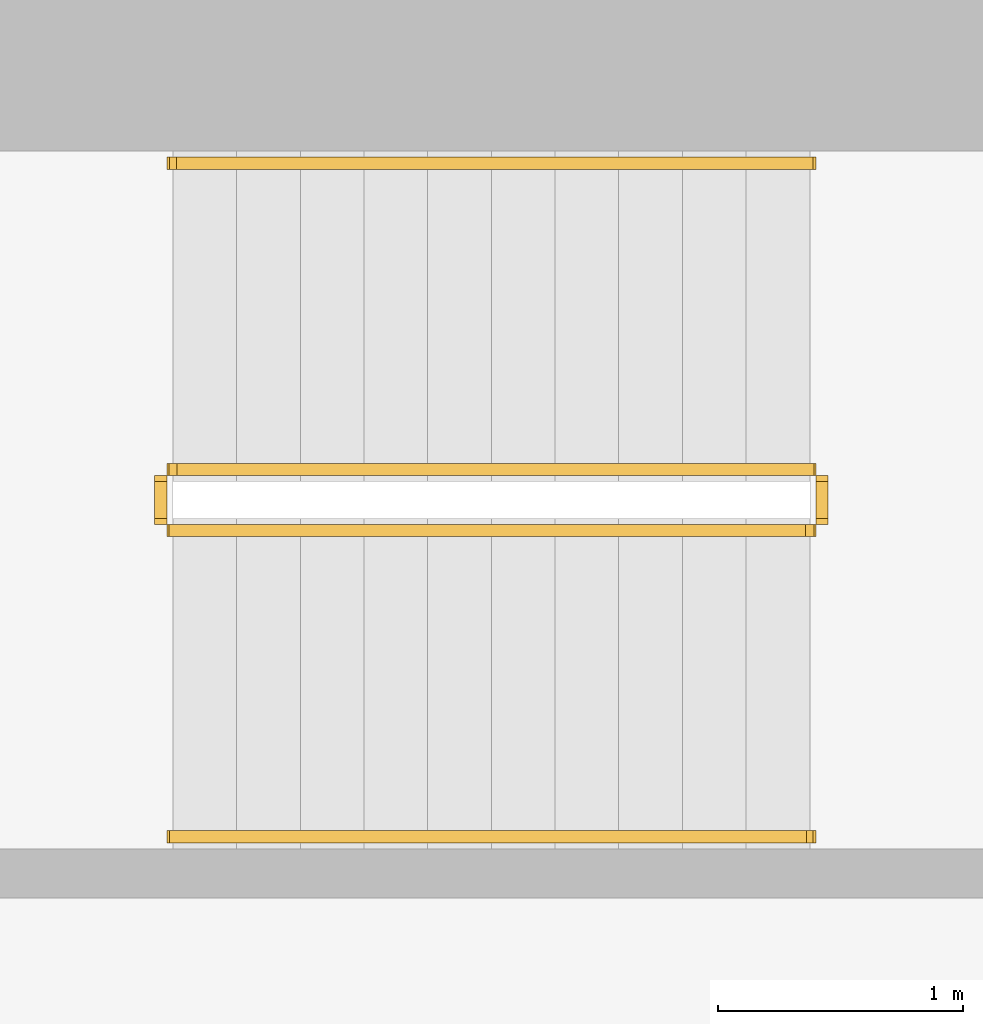
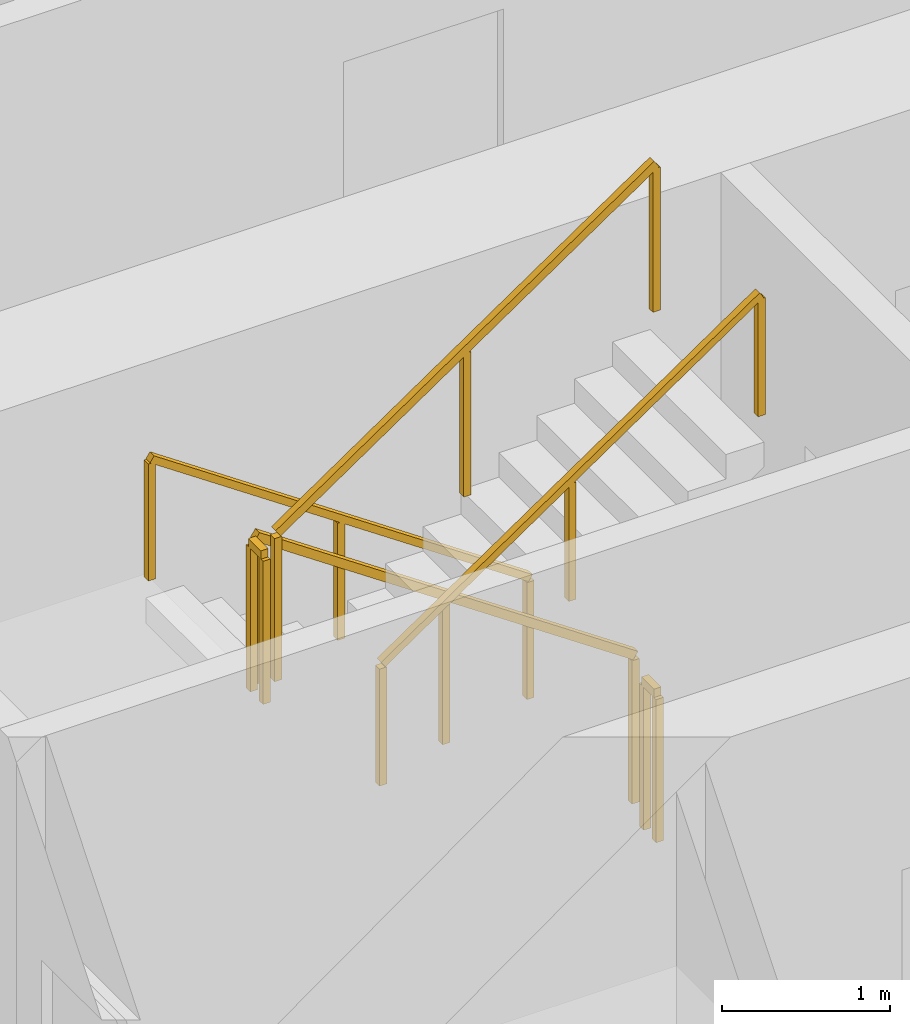
# One storey, part 14 of 15: 6 railings.
"""IFC4 building model written with IfcOpenShell, lengths in metres."""

from ifc_helpers import new_model, si_unit, direction, frame, origin, origin_2d, place, context, subcontext, project, spatial, rectangle, extrude, material, type_object, element, save


model = new_model("IFC4")

# Units and contexts
model_context = context("Model", 3, precision=1e-05, world=origin(), true_north=direction((0.0, 1.0)))
body_context = subcontext(model_context, "Body", "Model", "MODEL_VIEW")
ifc_project = project(units=[si_unit("LENGTHUNIT", "METRE"), si_unit("AREAUNIT", "SQUARE_METRE"), si_unit("VOLUMEUNIT", "CUBIC_METRE"), si_unit("PLANEANGLEUNIT", "RADIAN"), si_unit("MASSUNIT", "GRAM", prefix="KILO")], contexts=[model_context])

# Site, building, storey
site_placement = place(None, origin())
site = spatial("IfcSite", under=ifc_project, at=site_placement, CompositionType="ELEMENT")
building_placement = place(site_placement, origin())
building = spatial("IfcBuilding", under=site, at=building_placement, Name="Khepri Terraces", CompositionType="ELEMENT")
storey_placement = place(building_placement, frame((0.0, 0.0, 219.60009765625)))
storey = spatial("IfcBuildingStorey", under=building, at=storey_placement, Name="L52", CompositionType="ELEMENT", Elevation=219.60009765625)

# Railings
ifc_material = material(Name="Stainless steel 316", Category="steel")
railing_type_1 = type_object("IfcRailingType", Name="RL-CORE-GUARD", PredefinedType="GUARDRAIL", material=ifc_material)
railing_1_placement = place(storey_placement, frame((-0.25, 8.800048828125, 0.17724609375)))
element("IfcRailing", 1, at=railing_1_placement, inside=storey, type_object=railing_type_1, Name="L52 ST-3 stair guard 1", PredefinedType="GUARDRAIL", context=body_context, shape_type="SweptSolid", body=[
    extrude(rectangle(XDim=0.050048828125, YDim=0.06005859375, at=origin_2d()), frame((0.0, 0.0, 1.070068359375), z_axis=(-0.826240473404, 0.0, 0.563317565952), x_axis=(0.0, -1.0, 0.0)), (0.0, 0.0, 1.0), 3.14697265625),
    extrude(rectangle(XDim=0.050048828125, YDim=0.050048828125, at=origin_2d()), origin(), (0.0, 0.0, 1.0), 1.0400390625),
    extrude(rectangle(XDim=0.050048828125, YDim=0.050048828125, at=origin_2d()), frame((-1.300048828125, 0.0, 0.88623046875)), (0.0, 0.0, 1.0), 1.0400390625),
    extrude(rectangle(XDim=0.050048828125, YDim=0.050048828125, at=origin_2d()), frame((-2.60009765625, 0.0, 1.772705078125)), (0.0, 0.0, 1.0), 1.0400390625),
])
railing_2_placement = place(storey_placement, frame((-2.89990234375, 8.75, 1.949951171875)))
element("IfcRailing", 2, at=railing_2_placement, inside=storey, type_object=railing_type_1, Name="L52 ST-3 stair guard 2", PredefinedType="GUARDRAIL", context=body_context, shape_type="SweptSolid", body=[
    extrude(rectangle(XDim=0.050048828125, YDim=0.06005859375, at=origin_2d()), frame((0.0, 0.0, 1.070068359375), z_axis=(0.0, -1.0, 0.0), x_axis=(1.0, 0.0, 0.0)), (0.0, 0.0, 1.0), 0.14990234375),
    extrude(rectangle(XDim=0.050048828125, YDim=0.050048828125, at=origin_2d()), origin(), (0.0, 0.0, 1.0), 1.0400390625),
    extrude(rectangle(XDim=0.050048828125, YDim=0.050048828125, at=origin_2d()), frame((0.0, -0.14990234375, 0.0)), (0.0, 0.0, 1.0), 1.0400390625),
])
railing_3_placement = place(storey_placement, frame((-2.85009765625, 8.550048828125, 2.127197265625)))
element("IfcRailing", 3, at=railing_3_placement, inside=storey, type_object=railing_type_1, Name="L52 ST-3 stair guard 3", PredefinedType="GUARDRAIL", context=body_context, shape_type="SweptSolid", body=[
    extrude(rectangle(XDim=0.050048828125, YDim=0.06005859375, at=origin_2d()), frame((0.0, 0.0, 1.070068359375), z_axis=(0.826240473404, 0.0, 0.563317565952), x_axis=(0.0, 1.0, 0.0)), (0.0, 0.0, 1.0), 3.14697265625),
    extrude(rectangle(XDim=0.050048828125, YDim=0.050048828125, at=origin_2d()), origin(), (0.0, 0.0, 1.0), 1.0400390625),
    extrude(rectangle(XDim=0.050048828125, YDim=0.050048828125, at=origin_2d()), frame((1.300048828125, 0.0, 0.88623046875)), (0.0, 0.0, 1.0), 1.0400390625),
    extrude(rectangle(XDim=0.050048828125, YDim=0.050048828125, at=origin_2d()), frame((2.60009765625, 0.0, 1.772705078125)), (0.0, 0.0, 1.0), 1.0400390625),
])
railing_4_placement = place(storey_placement, frame((-0.199951171875, 8.75, 0.0)))
element("IfcRailing", 4, at=railing_4_placement, inside=storey, type_object=railing_type_1, Name="L52 ST-3 stair guard 4", PredefinedType="GUARDRAIL", context=body_context, shape_type="SweptSolid", body=[
    extrude(rectangle(XDim=0.050048828125, YDim=0.06005859375, at=origin_2d()), frame((0.0, 0.0, 1.070068359375), z_axis=(0.0, -1.0, 0.0), x_axis=(1.0, 0.0, 0.0)), (0.0, 0.0, 1.0), 0.14990234375),
    extrude(rectangle(XDim=0.050048828125, YDim=0.050048828125, at=origin_2d()), origin(), (0.0, 0.0, 1.0), 1.0400390625),
    extrude(rectangle(XDim=0.050048828125, YDim=0.050048828125, at=origin_2d()), frame((0.0, -0.14990234375, 0.0)), (0.0, 0.0, 1.0), 1.0400390625),
])
railing_type_2 = type_object("IfcRailingType", Name="RL-CORE-HANDRAIL", PredefinedType="HANDRAIL", material=ifc_material)
railing_5_placement = place(storey_placement, frame((-0.25, 10.050048828125, 0.17724609375)))
element("IfcRailing", 5, at=railing_5_placement, inside=storey, type_object=railing_type_2, Name="L52 ST-3 stair handrail 1", PredefinedType="HANDRAIL", context=body_context, shape_type="SweptSolid", body=[
    extrude(rectangle(XDim=0.050048828125, YDim=0.050048828125, at=origin_2d()), frame((0.0, 0.0, 0.875), z_axis=(-0.826240473404, 0.0, 0.563317565952), x_axis=(0.0, -1.0, 0.0)), (0.0, 0.0, 1.0), 3.14697265625),
    extrude(rectangle(XDim=0.050048828125, YDim=0.050048828125, at=origin_2d()), origin(), (0.0, 0.0, 1.0), 0.849853515625),
    extrude(rectangle(XDim=0.050048828125, YDim=0.050048828125, at=origin_2d()), frame((-1.300048828125, 0.0, 0.88623046875)), (0.0, 0.0, 1.0), 0.849853515625),
    extrude(rectangle(XDim=0.050048828125, YDim=0.050048828125, at=origin_2d()), frame((-2.60009765625, 0.0, 1.772705078125)), (0.0, 0.0, 1.0), 0.849853515625),
])
railing_6_placement = place(storey_placement, frame((-2.85009765625, 7.300048828125, 2.127197265625)))
element("IfcRailing", 6, at=railing_6_placement, inside=storey, type_object=railing_type_2, Name="L52 ST-3 stair handrail 2", PredefinedType="HANDRAIL", context=body_context, shape_type="SweptSolid", body=[
    extrude(rectangle(XDim=0.050048828125, YDim=0.050048828125, at=origin_2d()), frame((0.0, 0.0, 0.875), z_axis=(0.826240473404, 0.0, 0.563317565952), x_axis=(0.0, 1.0, 0.0)), (0.0, 0.0, 1.0), 3.14697265625),
    extrude(rectangle(XDim=0.050048828125, YDim=0.050048828125, at=origin_2d()), origin(), (0.0, 0.0, 1.0), 0.849853515625),
    extrude(rectangle(XDim=0.050048828125, YDim=0.050048828125, at=origin_2d()), frame((1.300048828125, 0.0, 0.88623046875)), (0.0, 0.0, 1.0), 0.849853515625),
    extrude(rectangle(XDim=0.050048828125, YDim=0.050048828125, at=origin_2d()), frame((2.60009765625, 0.0, 1.772705078125)), (0.0, 0.0, 1.0), 0.849853515625),
])

save(model, "model.ifc")
